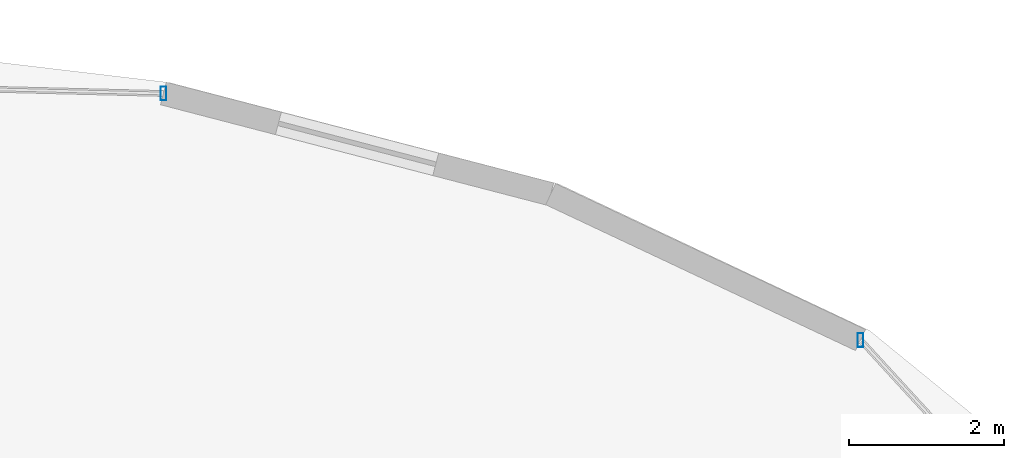
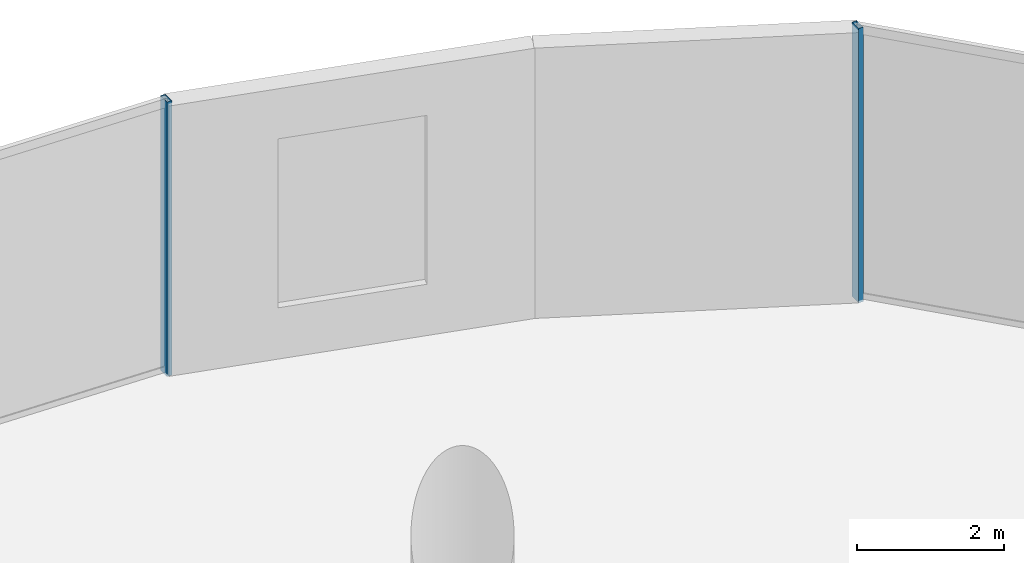
# One storey, part 17 of 26: 2 members, 2 elements without a shape of their own.
"""IFC4 building model written with IfcOpenShell, lengths in metres."""

import ifcopenshell
import ifcopenshell.guid

model = None  # the IFC model being written
_history = None  # IfcOwnerHistory: only IFC2X3 demands one
_inside = {}  # id of a spatial element -> (the spatial element, [elements in it])
_under = {}  # id of a project, library or spatial element -> (it, [spatial elements below it])
_declared = {}  # id of a project -> (the project, [libraries it declares])
_typed = {}  # id of a type object -> (the type object, [elements of that type])
_made_of = {}  # id of a material, layer set ... -> (it, [elements and type objects made of it])


def new_model(schema):
    """Start an empty IFC model of exactly this schema.

    Asked for "IFC4X3", IfcOpenShell would pick the latest addendum, in which some entities
    have other attributes; the version numbers below select the first issue.
    IFC2X3 requires an IfcOwnerHistory on every rooted entity: one is made here for all.
    """
    global model, _history
    if schema == "IFC4X3":
        model = ifcopenshell.file(schema_version=(4, 3, 0, 0))
    else:
        model = ifcopenshell.file(schema=schema)
    _inside.clear()
    _under.clear()
    _declared.clear()
    _typed.clear()
    _made_of.clear()
    _history = None
    if model.schema == "IFC2X3":
        org = make("IfcOrganization", Name="unknown")
        user = make(
            "IfcPersonAndOrganization",
            ThePerson=make("IfcPerson", FamilyName="unknown"),
            TheOrganization=org,
        )
        app = make(
            "IfcApplication",
            ApplicationDeveloper=org,
            Version="unknown",
            ApplicationFullName="unknown",
            ApplicationIdentifier="unknown",
        )
        _history = make(
            "IfcOwnerHistory",
            OwningUser=user,
            OwningApplication=app,
            ChangeAction="ADDED",
            CreationDate=0,
        )
    return model


def make(cls, **values):
    """One entity of the class cls with the attributes given. An attribute that is None is left unset."""
    return model.create_entity(
        cls, **{name: value for name, value in values.items() if value is not None}
    )


def rooted(cls, **values):
    """An entity with a GlobalId (a new one), such as an element, a storey or a relation."""
    return make(cls, GlobalId=ifcopenshell.guid.new(), OwnerHistory=_history, **values)


def si_unit(unit_type, name, prefix=None):
    """IfcSIUnit, for example si_unit("LENGTHUNIT", "METRE", prefix="MILLI")."""
    return make("IfcSIUnit", UnitType=unit_type, Prefix=prefix, Name=name)


def assignment(units):
    """IfcUnitAssignment: the units of a project."""
    return None if units is None else make("IfcUnitAssignment", Units=units)


def point(xyz):
    """IfcCartesianPoint."""
    return None if xyz is None else make("IfcCartesianPoint", Coordinates=xyz)


def direction(xyz):
    """IfcDirection."""
    return None if xyz is None else make("IfcDirection", DirectionRatios=xyz)


def frame(location, z_axis=None, x_axis=None):
    """IfcAxis2Placement3D, a coordinate frame: its origin and axes. An axis left out is left unset."""
    return make(
        "IfcAxis2Placement3D",
        Location=point(location),
        Axis=direction(z_axis),
        RefDirection=direction(x_axis),
    )


def frame_2d(location, x_axis=None):
    """IfcAxis2Placement2D, a coordinate frame in the plane: its origin and x axis."""
    return make(
        "IfcAxis2Placement2D", Location=point(location), RefDirection=direction(x_axis)
    )


def origin():
    """The frame at (0, 0, 0) with its axes left unset."""
    return frame((0.0, 0.0, 0.0))


def origin_2d():
    """The frame at (0, 0) in the plane with its x axis left unset."""
    return frame_2d((0.0, 0.0))


def place(relative_to, where):
    """IfcLocalPlacement: puts the frame where relative to a parent placement (None: the world)."""
    return make(
        "IfcLocalPlacement", PlacementRelTo=relative_to, RelativePlacement=where
    )


def context(
    kind, dimensions, precision=None, world=None, true_north=None, identifier=None
):
    """IfcGeometricRepresentationContext, for example the 3D "Model" context."""
    return make(
        "IfcGeometricRepresentationContext",
        ContextIdentifier=identifier,
        ContextType=kind,
        CoordinateSpaceDimension=dimensions,
        Precision=precision,
        WorldCoordinateSystem=world,
        TrueNorth=true_north,
    )


def subcontext(parent, identifier, kind, view, scale=None):
    """IfcGeometricRepresentationSubContext, for example "Body" below "Model"."""
    return make(
        "IfcGeometricRepresentationSubContext",
        ContextIdentifier=identifier,
        ContextType=kind,
        ParentContext=parent,
        TargetScale=scale,
        TargetView=view,
    )


def project(units=None, contexts=None):
    """IfcProject with its units and contexts."""
    return rooted(
        "IfcProject",
        Name="project",
        RepresentationContexts=contexts,
        UnitsInContext=assignment(units),
    )


def spatial(cls, under=None, at=None, **own):
    """A site, building, storey or space (cls), placed at a placement, below another one or the project."""
    s = rooted(cls, ObjectPlacement=at, **own)
    if under is not None:
        _under.setdefault(under.id(), (under, []))[1].append(s)
    return s


def profile(cls, at=None, kind="AREA", **sizes):
    """A parametric profile (cls). Its sizes go by their IFC names, for example OverallWidth=200.0."""
    return make(cls, ProfileType=kind, Position=at, **sizes)


def hollow_rectangle(**sizes):
    """IfcRectangleHollowProfileDef."""
    return profile("IfcRectangleHollowProfileDef", **sizes)


def extrude(swept, where, along, depth):
    """IfcExtrudedAreaSolid: the profile swept, set in the frame where, extruded along a direction by depth."""
    return make(
        "IfcExtrudedAreaSolid",
        SweptArea=swept,
        Position=where,
        ExtrudedDirection=direction(along),
        Depth=depth,
    )


def shape(context_of_items, identifier, shape_type, items):
    """IfcShapeRepresentation: the items that make up one representation, for example the "Body"."""
    return make(
        "IfcShapeRepresentation",
        ContextOfItems=context_of_items,
        RepresentationIdentifier=identifier,
        RepresentationType=shape_type,
        Items=items,
    )


def material(Name=None, Category=None):
    """IfcMaterial."""
    return make("IfcMaterial", Name=Name, Category=Category)


def material_profile(
    of_material, cross_section, Name=None, Category=None, Priority=None
):
    """IfcMaterialProfile: a cross section and its material."""
    return make(
        "IfcMaterialProfile",
        Name=Name,
        Material=of_material,
        Profile=cross_section,
        Priority=Priority,
        Category=Category,
    )


def profile_set(profiles, Name=None, composite=None):
    """IfcMaterialProfileSet."""
    return make(
        "IfcMaterialProfileSet",
        Name=Name,
        MaterialProfiles=profiles,
        CompositeProfile=composite,
    )


def made_of(thing, what):
    """Note that an element or type object is made of a material, layer set ...; save() writes the relation."""
    if what is not None:
        _made_of.setdefault(what.id(), (what, []))[1].append(thing)
    return thing


def type_object(cls, material=None, **own):
    """A type object (cls), such as IfcWallType, which elements share."""
    return made_of(rooted(cls, **own), material)


def element(
    cls,
    number,
    at=None,
    inside=None,
    cuts=None,
    type_object=None,
    material=None,
    context=None,
    identifier="Body",
    shape_type=None,
    held_by="IfcProductDefinitionShape",
    body=None,
    shapes=None,
    **own,
):
    """One element of the class cls, such as IfcWall. Its Tag is "e" and its number.

    at: its placement. inside: the storey or other place that contains it. cuts: it is an
    opening in that element (IfcRelVoidsElement). A single representation is given by context,
    identifier, shape_type and body (its items); several are given by shapes. held_by: the class
    of the entity that holds the representations. save() writes the other relations.
    """
    e = rooted(cls, Tag="e%d" % number, ObjectPlacement=at, **own)
    if body is not None:
        shapes = [shape(context, identifier, shape_type, body)]
    if shapes is not None:
        e.Representation = make(held_by, Representations=shapes)
    if inside is not None:
        _inside.setdefault(inside.id(), (inside, []))[1].append(e)
    if cuts is not None:
        rooted(
            "IfcRelVoidsElement", RelatingBuildingElement=cuts, RelatedOpeningElement=e
        )
    if type_object is not None:
        _typed.setdefault(type_object.id(), (type_object, []))[1].append(e)
    return made_of(e, material)


def aggregate(whole, parts):
    """IfcRelAggregates: a whole, such as a stair, and the parts it consists of."""
    return rooted("IfcRelAggregates", RelatingObject=whole, RelatedObjects=parts)


def save(model, path):
    """Write the relations noted so far, then the file.

    IfcRelAggregates (storeys below a building ...), IfcRelContainedInSpatialStructure (elements
    in a storey), IfcRelDefinesByType, IfcRelAssociatesMaterial and IfcRelDeclares: one each for
    every whole, place, type object, material and project.
    """
    for whole, parts in _under.values():
        aggregate(whole, parts)
    for where, things in _inside.values():
        rooted(
            "IfcRelContainedInSpatialStructure",
            RelatedElements=things,
            RelatingStructure=where,
        )
    for kind, things in _typed.values():
        rooted("IfcRelDefinesByType", RelatedObjects=things, RelatingType=kind)
    for what, things in _made_of.values():
        rooted("IfcRelAssociatesMaterial", RelatedObjects=things, RelatingMaterial=what)
    for by, libraries in _declared.values():
        rooted("IfcRelDeclares", RelatingContext=by, RelatedDefinitions=libraries)
    model.write(path)


model = new_model("IFC4")

# Units and contexts
model_context = context("Model", 3, precision=1e-05, world=origin(), true_north=direction((0.0, 1.0)))
body_context = subcontext(model_context, "Body", "Model", "MODEL_VIEW")
ifc_project = project(units=[si_unit("LENGTHUNIT", "METRE"), si_unit("AREAUNIT", "SQUARE_METRE"), si_unit("VOLUMEUNIT", "CUBIC_METRE"), si_unit("PLANEANGLEUNIT", "RADIAN"), si_unit("MASSUNIT", "GRAM", prefix="KILO")], contexts=[model_context])

# Site, building, storey
site_placement = place(None, origin())
site = spatial("IfcSite", under=ifc_project, at=site_placement, CompositionType="ELEMENT")
building_placement = place(site_placement, origin())
building = spatial("IfcBuilding", under=site, at=building_placement, Name="Vorneva Point Tower", CompositionType="ELEMENT")
storey_placement = place(building_placement, frame((0.0, 0.0, 14.39990234375)))
storey = spatial("IfcBuildingStorey", under=building, at=storey_placement, Name="L03", CompositionType="ELEMENT", Elevation=14.39990234375)

# Curtain wall, member
ifc_material = material(Name="Pale anodised aluminium", Category="aluminium")
curtain_wall_type = type_object("IfcCurtainWallType", Name="CW-POD-SYS", PredefinedType="NOTDEFINED", material=ifc_material)
curtain_wall_1_placement = place(storey_placement, origin())
curtain_wall_1 = element("IfcCurtainWall", 1, at=curtain_wall_1_placement, inside=storey, type_object=curtain_wall_type, Name="L03 Unitised Curtain Wall CW-L03-R01", PredefinedType="NOTDEFINED")
ifc_material_profile = material_profile(ifc_material, hollow_rectangle(XDim=0.074951171875, YDim=0.179931640625, WallThickness=0.00390625, at=origin_2d()), Name="AL-MUL 180x75x4")
ifc_profile_set = profile_set([ifc_material_profile], Name="Pale anodised aluminium")
member_type = type_object("IfcMemberType", Name="CW-MUL-180", PredefinedType="MULLION", material=ifc_profile_set)
member_1_placement = place(storey_placement, frame((65.619873046875, 44.802490234375, -0.039794921875), z_axis=(0.0, 0.0, 1.0), x_axis=(1.0, 0.0, 0.0)))
member_1 = element("IfcMember", 2, at=member_1_placement, type_object=member_type, Name="CW-L03-R01 Mullion 04", PredefinedType="MULLION", context=body_context, shape_type="SweptSolid", body=[
    extrude(hollow_rectangle(XDim=0.074951171875, YDim=0.179931640625, WallThickness=0.00390625, at=origin_2d()), origin(), (0.0, 0.0, 1.0), 4.5498046875),
])
aggregate(curtain_wall_1, [member_1])

curtain_wall_2_placement = place(storey_placement, origin())
curtain_wall_2 = element("IfcCurtainWall", 3, at=curtain_wall_2_placement, inside=storey, type_object=curtain_wall_type, Name="L03 Unitised Curtain Wall CW-L03-R02", PredefinedType="NOTDEFINED")
member_2_placement = place(storey_placement, frame((56.6181640625, 47.987060546875, -0.039794921875), z_axis=(0.0, 0.0, 1.0), x_axis=(1.0, 0.0, 0.0)))
member_2 = element("IfcMember", 4, at=member_2_placement, type_object=member_type, Name="CW-L03-R02 Mullion 01", PredefinedType="MULLION", context=body_context, shape_type="SweptSolid", body=[
    extrude(hollow_rectangle(XDim=0.074951171875, YDim=0.179931640625, WallThickness=0.00390625, at=origin_2d()), origin(), (0.0, 0.0, 1.0), 4.5498046875),
])
aggregate(curtain_wall_2, [member_2])

save(model, "model.ifc")
